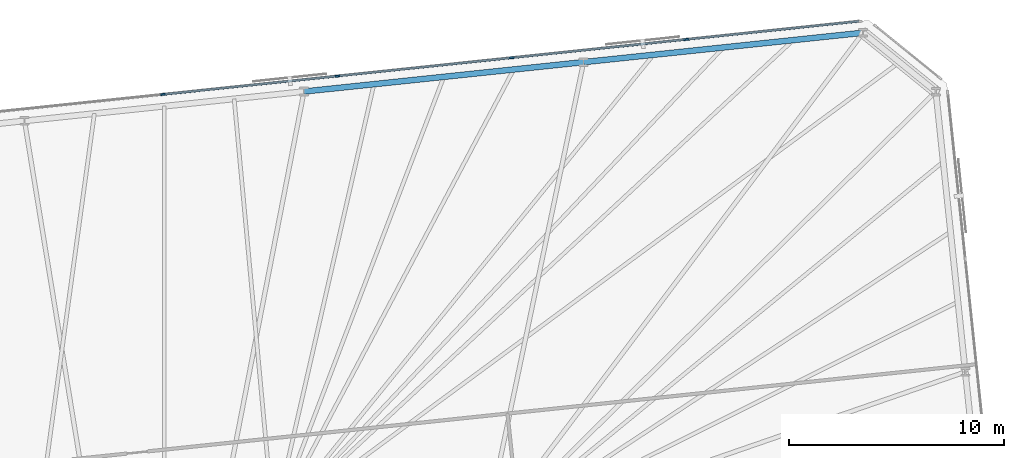
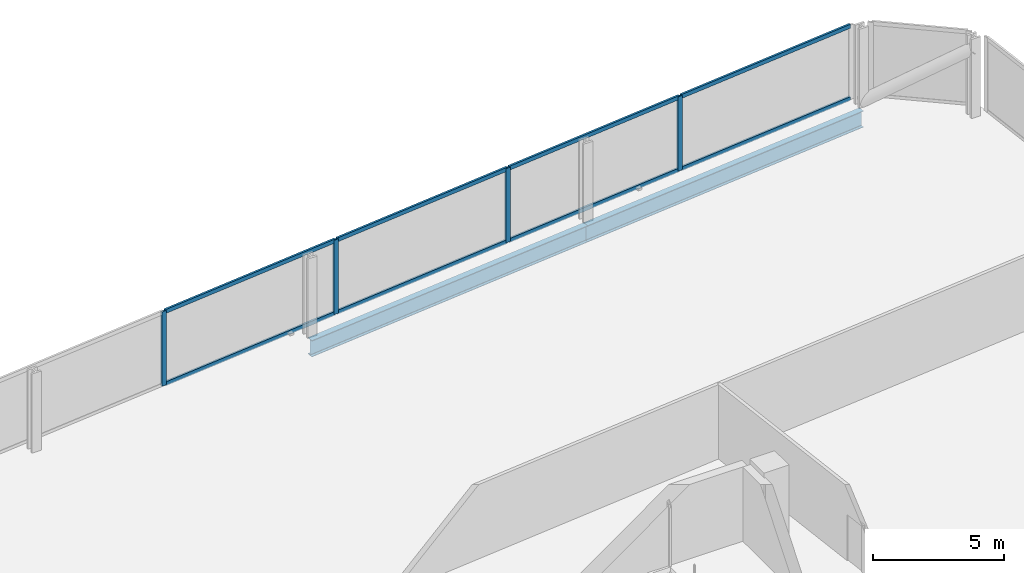
# One storey, part 11 of 17: 12 members, 2 beams, 1 element without a shape of its own.
"""IFC4 building model written with IfcOpenShell, lengths in metres."""

from ifc_helpers import new_model, si_unit, direction, frame, origin, origin_2d, place, context, subcontext, project, spatial, rectangle, i_section, extrude, material, material_profile, profile_set, type_object, element, aggregate, save


model = new_model("IFC4")

# Units and contexts
model_context = context("Model", 3, precision=1e-05, world=origin(), true_north=direction((0.0, 1.0)))
body_context = subcontext(model_context, "Body", "Model", "MODEL_VIEW")
ifc_project = project(units=[si_unit("LENGTHUNIT", "METRE"), si_unit("AREAUNIT", "SQUARE_METRE"), si_unit("VOLUMEUNIT", "CUBIC_METRE"), si_unit("PLANEANGLEUNIT", "RADIAN"), si_unit("MASSUNIT", "GRAM", prefix="KILO")], contexts=[model_context])

# Site, building, storey
site_placement = place(None, origin())
site = spatial("IfcSite", under=ifc_project, at=site_placement, CompositionType="ELEMENT")
building_placement = place(site_placement, origin())
building = spatial("IfcBuilding", under=site, at=building_placement, Name="Menara Jurai Vektor", CompositionType="ELEMENT")
storey_placement = place(building_placement, frame((0.0, 0.0, 109.60009765625)))
storey = spatial("IfcBuildingStorey", under=building, at=storey_placement, Name="L27", CompositionType="ELEMENT", Elevation=109.60009765625)

# Curtain wall, members
ifc_material_1 = material(Name="Anodised Pale Aluminium & Low-E Double Glazing", Category="aluminium")
curtain_wall_type = type_object("IfcCurtainWallType", Name="CW-BLK2", PredefinedType="NOTDEFINED", material=ifc_material_1)
curtain_wall_placement = place(storey_placement, origin())
curtain_wall = element("IfcCurtainWall", 1, at=curtain_wall_placement, inside=storey, type_object=curtain_wall_type, Name="Unitised Curtain Wall L27 F05", PredefinedType="NOTDEFINED")
ifc_material_2 = material(Name="Anodised Pale Aluminium Mullion", Category="aluminium")
ifc_material_profile_1 = material_profile(ifc_material_2, rectangle(XDim=0.090087890625, YDim=0.219970703125, at=origin_2d()), Name="ALU MUL 90x220")
ifc_profile_set_1 = profile_set([ifc_material_profile_1], Name="Anodised Pale Aluminium Mullion")
member_type_1 = type_object("IfcMemberType", Name="CW-BLK2-MUL", PredefinedType="MULLION", material=ifc_profile_set_1)
member_1_placement = place(storey_placement, frame((24.663330078125, 28.075927734375, 0.0), z_axis=(0.0, 0.0, 1.0), x_axis=(0.104528634935, -0.994521877325, 0.0)))
member_1 = element("IfcMember", 2, at=member_1_placement, type_object=member_type_1, Name="CW-02 mullion 2", PredefinedType="MULLION", context=body_context, shape_type="SweptSolid", body=[
    extrude(rectangle(XDim=0.090087890625, YDim=0.219970703125, at=origin_2d()), origin(), (0.0, 0.0, 1.0), 3.474853515625),
])
member_2_placement = place(storey_placement, frame((16.5654296875, 27.224853515625, 0.0), z_axis=(0.0, 0.0, 1.0), x_axis=(0.104528634935, -0.994521877325, 0.0)))
member_2 = element("IfcMember", 3, at=member_2_placement, type_object=member_type_1, Name="CW-02 mullion 3", PredefinedType="MULLION", context=body_context, shape_type="SweptSolid", body=[
    extrude(rectangle(XDim=0.090087890625, YDim=0.219970703125, at=origin_2d()), origin(), (0.0, 0.0, 1.0), 3.474853515625),
])
member_3_placement = place(storey_placement, frame((8.467529296875, 26.373779296875, 0.0), z_axis=(0.0, 0.0, 1.0), x_axis=(0.104528634935, -0.994521877325, 0.0)))
member_3 = element("IfcMember", 4, at=member_3_placement, type_object=member_type_1, Name="CW-02 mullion 4", PredefinedType="MULLION", context=body_context, shape_type="SweptSolid", body=[
    extrude(rectangle(XDim=0.090087890625, YDim=0.219970703125, at=origin_2d()), origin(), (0.0, 0.0, 1.0), 3.474853515625),
])
member_4_placement = place(storey_placement, frame((0.36962890625, 25.522705078125, 0.0), z_axis=(0.0, 0.0, 1.0), x_axis=(0.104528634935, -0.994521877325, 0.0)))
member_4 = element("IfcMember", 5, at=member_4_placement, type_object=member_type_1, Name="CW-02 mullion 5", PredefinedType="MULLION", context=body_context, shape_type="SweptSolid", body=[
    extrude(rectangle(XDim=0.090087890625, YDim=0.219970703125, at=origin_2d()), origin(), (0.0, 0.0, 1.0), 3.474853515625),
])
ifc_material_3 = material(Name="Anodised Pale Aluminium Transom", Category="aluminium")
ifc_material_profile_2 = material_profile(ifc_material_3, rectangle(XDim=0.090087890625, YDim=0.18505859375, at=origin_2d()), Name="ALU TRN 90x185")
ifc_profile_set_2 = profile_set([ifc_material_profile_2], Name="Anodised Pale Aluminium Transom")
member_type_2 = type_object("IfcMemberType", Name="CW-BLK2-TRN", PredefinedType="USERDEFINED", material=ifc_profile_set_2)
member_5_placement = place(storey_placement, frame((32.671875, 28.917724609375, 0.044921875), z_axis=(-0.994519977808, -0.104546706027, 0.0), x_axis=(0.104546706027, -0.994519977808, 0.0)))
member_5 = element("IfcMember", 6, at=member_5_placement, type_object=member_type_2, Name="CW-02 transom 1.1", ObjectType="TRANSOM", PredefinedType="USERDEFINED", context=body_context, shape_type="SweptSolid", body=[
    extrude(rectangle(XDim=0.090087890625, YDim=0.18505859375, at=origin_2d()), origin(), (0.0, 0.0, 1.0), 8.007568359375),
])
member_6_placement = place(storey_placement, frame((32.671875, 28.917724609375, 3.429931640625), z_axis=(-0.994519977808, -0.104546706027, 0.0), x_axis=(0.104546706027, -0.994519977808, 0.0)))
member_6 = element("IfcMember", 7, at=member_6_placement, type_object=member_type_2, Name="CW-02 transom 1.2", ObjectType="TRANSOM", PredefinedType="USERDEFINED", context=body_context, shape_type="SweptSolid", body=[
    extrude(rectangle(XDim=0.090087890625, YDim=0.18505859375, at=origin_2d()), origin(), (0.0, 0.0, 1.0), 8.007568359375),
])
member_7_placement = place(storey_placement, frame((24.61865234375, 28.0712890625, 0.044921875), z_axis=(-0.994520726373, -0.10453958492, 0.0), x_axis=(0.10453958492, -0.994520726373, 0.0)))
member_7 = element("IfcMember", 8, at=member_7_placement, type_object=member_type_2, Name="CW-02 transom 2.1", ObjectType="TRANSOM", PredefinedType="USERDEFINED", context=body_context, shape_type="SweptSolid", body=[
    extrude(rectangle(XDim=0.090087890625, YDim=0.18505859375, at=origin_2d()), origin(), (0.0, 0.0, 1.0), 8.052490234375),
])
member_8_placement = place(storey_placement, frame((24.61865234375, 28.0712890625, 3.429931640625), z_axis=(-0.994520726373, -0.10453958492, 0.0), x_axis=(0.10453958492, -0.994520726373, 0.0)))
member_8 = element("IfcMember", 9, at=member_8_placement, type_object=member_type_2, Name="CW-02 transom 2.2", ObjectType="TRANSOM", PredefinedType="USERDEFINED", context=body_context, shape_type="SweptSolid", body=[
    extrude(rectangle(XDim=0.090087890625, YDim=0.18505859375, at=origin_2d()), origin(), (0.0, 0.0, 1.0), 8.052490234375),
])
member_9_placement = place(storey_placement, frame((16.520751953125, 27.22021484375, 0.044921875), z_axis=(-0.994520726373, -0.10453958492, 0.0), x_axis=(0.10453958492, -0.994520726373, 0.0)))
member_9 = element("IfcMember", 10, at=member_9_placement, type_object=member_type_2, Name="CW-02 transom 3.1", ObjectType="TRANSOM", PredefinedType="USERDEFINED", context=body_context, shape_type="SweptSolid", body=[
    extrude(rectangle(XDim=0.090087890625, YDim=0.18505859375, at=origin_2d()), origin(), (0.0, 0.0, 1.0), 8.052490234375),
])
member_10_placement = place(storey_placement, frame((16.520751953125, 27.22021484375, 3.429931640625), z_axis=(-0.994520726373, -0.10453958492, 0.0), x_axis=(0.10453958492, -0.994520726373, 0.0)))
member_10 = element("IfcMember", 11, at=member_10_placement, type_object=member_type_2, Name="CW-02 transom 3.2", ObjectType="TRANSOM", PredefinedType="USERDEFINED", context=body_context, shape_type="SweptSolid", body=[
    extrude(rectangle(XDim=0.090087890625, YDim=0.18505859375, at=origin_2d()), origin(), (0.0, 0.0, 1.0), 8.052490234375),
])
member_11_placement = place(storey_placement, frame((8.4228515625, 26.369140625, 0.044921875), z_axis=(-0.994520726373, -0.10453958492, 0.0), x_axis=(0.10453958492, -0.994520726373, 0.0)))
member_11 = element("IfcMember", 12, at=member_11_placement, type_object=member_type_2, Name="CW-02 transom 4.1", ObjectType="TRANSOM", PredefinedType="USERDEFINED", context=body_context, shape_type="SweptSolid", body=[
    extrude(rectangle(XDim=0.090087890625, YDim=0.18505859375, at=origin_2d()), origin(), (0.0, 0.0, 1.0), 8.052490234375),
])
member_12_placement = place(storey_placement, frame((8.4228515625, 26.369140625, 3.429931640625), z_axis=(-0.994520726373, -0.10453958492, 0.0), x_axis=(0.10453958492, -0.994520726373, 0.0)))
member_12 = element("IfcMember", 13, at=member_12_placement, type_object=member_type_2, Name="CW-02 transom 4.2", ObjectType="TRANSOM", PredefinedType="USERDEFINED", context=body_context, shape_type="SweptSolid", body=[
    extrude(rectangle(XDim=0.090087890625, YDim=0.18505859375, at=origin_2d()), origin(), (0.0, 0.0, 1.0), 8.052490234375),
])
aggregate(curtain_wall, [member_1, member_2, member_3, member_4, member_5, member_6, member_7, member_8, member_9, member_10, member_11, member_12])

# Beams
ifc_material_4 = material(Name="Steel S460", Category="steel")
ifc_material_profile_3 = material_profile(ifc_material_4, i_section(OverallWidth=0.26806640625, OverallDepth=0.77001953125, WebThickness=0.01611328125, FlangeThickness=0.02490234375, FilletRadius=0.01708984375, at=origin_2d()), Name="UKB 762x267x197")
ifc_profile_set_3 = profile_set([ifc_material_profile_3], Name="Steel S460")
beam_type = type_object("IfcBeamType", Name="STR-SP-762", PredefinedType="SPANDREL", material=ifc_profile_set_3)
beam_1_placement = place(storey_placement, frame((32.876220703125, 28.38623046875, -0.610107421875), z_axis=(-0.994521431679, -0.104532874882, 0.0), x_axis=(0.104532874882, -0.994521431679, 0.0)))
element("IfcBeam", 14, at=beam_1_placement, inside=storey, type_object=beam_type, Name="Exoskeleton Spandrel Beam L27-11", PredefinedType="SPANDREL", context=body_context, shape_type="SweptSolid", body=[
    extrude(i_section(OverallWidth=0.26806640625, OverallDepth=0.77001953125, WebThickness=0.01611328125, FlangeThickness=0.02490234375, FilletRadius=0.01708984375, at=origin_2d()), origin(), (0.0, 0.0, 1.0), 13.051025390625),
])
beam_2_placement = place(storey_placement, frame((19.896728515625, 27.02197265625, -0.610107421875), z_axis=(-0.994521636083, -0.104530930169, 0.0), x_axis=(0.104530930169, -0.994521636083, 0.0)))
element("IfcBeam", 15, at=beam_2_placement, inside=storey, type_object=beam_type, Name="Exoskeleton Spandrel Beam L27-12", PredefinedType="SPANDREL", context=body_context, shape_type="SweptSolid", body=[
    extrude(i_section(OverallWidth=0.26806640625, OverallDepth=0.77001953125, WebThickness=0.01611328125, FlangeThickness=0.02490234375, FilletRadius=0.01708984375, at=origin_2d()), origin(), (0.0, 0.0, 1.0), 13.05126953125),
])

save(model, "model.ifc")
